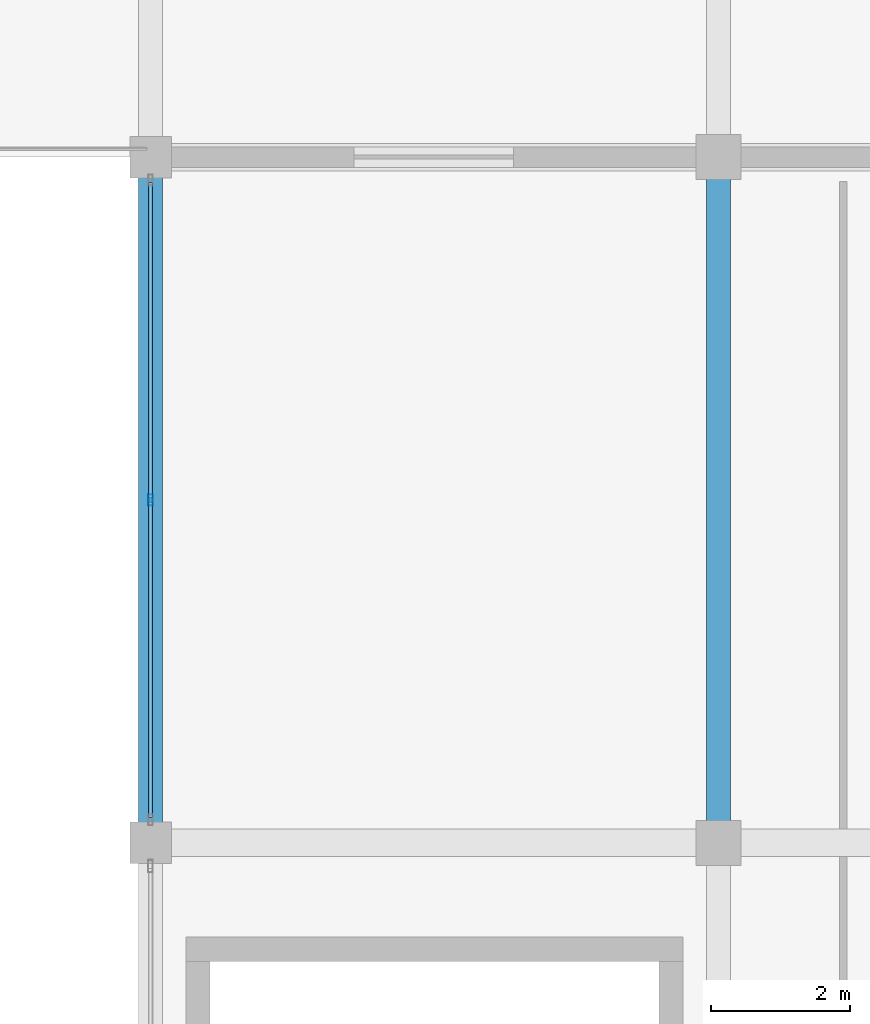
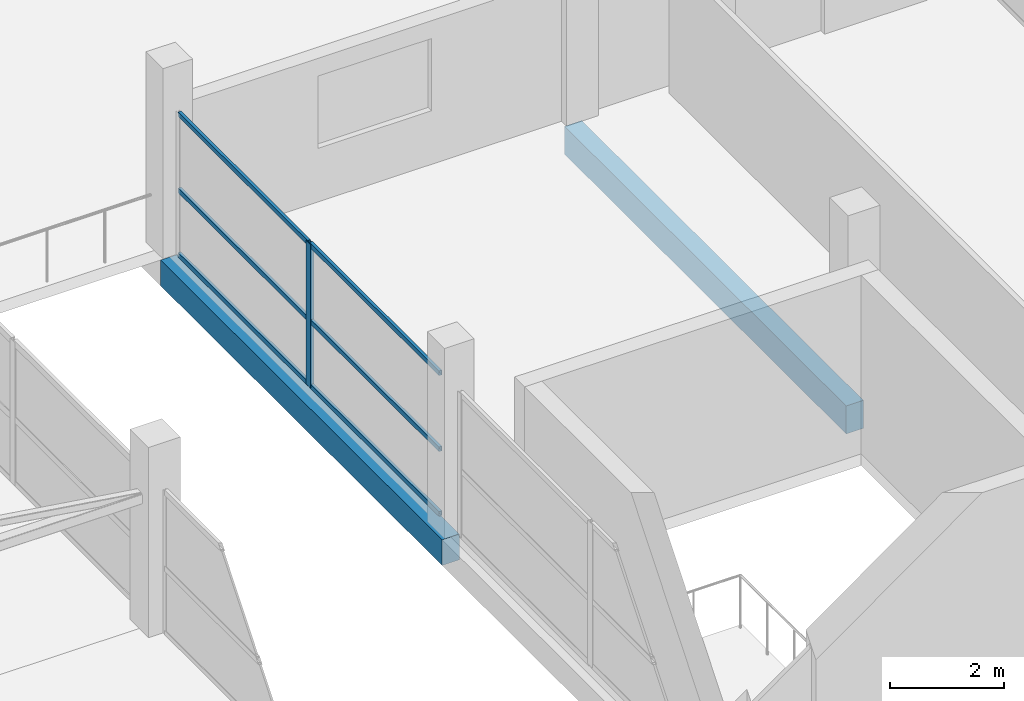
# One storey, part 31 of 53: 7 members, 2 beams, 1 element without a shape of its own.
"""IFC4 building model written with IfcOpenShell, lengths in metres."""

from ifc_helpers import new_model, si_unit, direction, frame, origin, origin_2d, place, context, subcontext, project, spatial, rectangle, hollow_rectangle, extrude, material, layer, layer_set, material_profile, profile_set, type_object, element, aggregate, save


model = new_model("IFC4")

# Units and contexts
model_context = context("Model", 3, precision=1e-05, world=origin(), true_north=direction((0.0, 1.0)))
body_context = subcontext(model_context, "Body", "Model", "MODEL_VIEW")
ifc_project = project(units=[si_unit("LENGTHUNIT", "METRE"), si_unit("AREAUNIT", "SQUARE_METRE"), si_unit("VOLUMEUNIT", "CUBIC_METRE"), si_unit("PLANEANGLEUNIT", "RADIAN"), si_unit("MASSUNIT", "GRAM", prefix="KILO")], contexts=[model_context])

# Site, building, storey
site_placement = place(None, origin())
site = spatial("IfcSite", under=ifc_project, at=site_placement, CompositionType="ELEMENT")
building_placement = place(site_placement, origin())
building = spatial("IfcBuilding", under=site, at=building_placement, Name="Sillaruma Civic Art Gallery", CompositionType="ELEMENT")
storey_placement = place(building_placement, frame((0.0, 0.0, 70.3798828125)))
storey = spatial("IfcBuildingStorey", under=building, at=storey_placement, Name="L14", CompositionType="ELEMENT", Elevation=70.3798828125)

# Beams
ifc_material_1 = material(Name="Concrete H35 (35 MPa)", Category="concrete")
ifc_material_profile_1 = material_profile(ifc_material_1, rectangle(XDim=0.35009765625, YDim=0.60009765625, at=origin_2d()), Name="RCB350x600")
ifc_profile_set_1 = profile_set([ifc_material_profile_1], Name="Concrete H35 (35 MPa)")
beam_type_1 = type_object("IfcBeamType", Name="BM-BEAM-RCB350x600", PredefinedType="BEAM", material=ifc_profile_set_1)
beam_1_placement = place(storey_placement, frame((106.199951171875, 59.39990234375, -0.5498046875), z_axis=(0.0, 1.0, 0.0), x_axis=(-1.0, 0.0, 0.0)))
element("IfcBeam", 1, at=beam_1_placement, inside=storey, type_object=beam_type_1, Name="Beam BM-06 (L13:M:7-8)", PredefinedType="BEAM", context=body_context, shape_type="SweptSolid", body=[
    extrude(rectangle(XDim=0.35009765625, YDim=0.60009765625, at=origin_2d()), origin(), (0.0, 0.0, 1.0), 9.900146484375),
])
ifc_material_profile_2 = material_profile(ifc_material_1, rectangle(XDim=0.35009765625, YDim=0.550048828125, at=origin_2d()), Name="RCB350x550")
ifc_profile_set_2 = profile_set([ifc_material_profile_2], Name="Concrete H35 (35 MPa)")
beam_type_2 = type_object("IfcBeamType", Name="BM-SPANDREL-RCB350x550", PredefinedType="SPANDREL", material=ifc_profile_set_2)
beam_2_placement = place(storey_placement, frame((98.0, 59.39990234375, -0.52490234375), z_axis=(0.0, 1.0, 0.0), x_axis=(-1.0, 0.0, 0.0)))
element("IfcBeam", 2, at=beam_2_placement, inside=storey, type_object=beam_type_2, Name="Beam BS-04 (L13:L:7-8)", PredefinedType="SPANDREL", context=body_context, shape_type="SweptSolid", body=[
    extrude(rectangle(XDim=0.35009765625, YDim=0.550048828125, at=origin_2d()), origin(), (0.0, 0.0, 1.0), 9.900146484375),
])

# Curtain wall, members
ifc_material_2 = material(Name="Thermally Broken Extruded Aluminium 6063-T6", Category="aluminium")
ifc_layer = layer(ifc_material_2, 0.159912109375, Name="Thermally Broken Extruded Aluminium 6063-T6")
ifc_layer_set = layer_set([ifc_layer], Name="Thermally Broken Extruded Aluminium 6063-T6")
curtain_wall_type = type_object("IfcCurtainWallType", Name="CW-UNI-97", PredefinedType="NOTDEFINED", material=ifc_layer_set)
curtain_wall_placement = place(storey_placement, origin())
curtain_wall = element("IfcCurtainWall", 3, at=curtain_wall_placement, inside=storey, type_object=curtain_wall_type, Name="Unitised Curtain Wall CW-97 (CW-L14-EHH-W2)", PredefinedType="NOTDEFINED")
ifc_material_profile_3 = material_profile(ifc_material_2, hollow_rectangle(XDim=0.06494140625, YDim=0.159912109375, WallThickness=0.00390625, at=origin_2d()), Name="CWM65x160")
ifc_profile_set_3 = profile_set([ifc_material_profile_3], Name="Thermally Broken Extruded Aluminium 6063-T6")
member_type_1 = type_object("IfcMemberType", Name="MEM-MUL-CWM65x160", PredefinedType="MULLION", material=ifc_profile_set_3)
member_1_placement = place(storey_placement, frame((98.0, 64.35009765625, 0.0), z_axis=(0.0, 0.0, 1.0), x_axis=(-1.0, 0.0, 0.0)))
member_1 = element("IfcMember", 4, at=member_1_placement, type_object=member_type_1, Name="CW-97 mullion 2", PredefinedType="MULLION", context=body_context, shape_type="SweptSolid", body=[
    extrude(hollow_rectangle(XDim=0.06494140625, YDim=0.159912109375, WallThickness=0.00390625, at=origin_2d()), origin(), (0.0, 0.0, 1.0), 3.080078125),
])
ifc_material_profile_4 = material_profile(ifc_material_2, hollow_rectangle(XDim=0.06005859375, YDim=0.10009765625, WallThickness=0.003173828125, at=origin_2d()), Name="CWT60x100")
ifc_profile_set_4 = profile_set([ifc_material_profile_4], Name="Thermally Broken Extruded Aluminium 6063-T6")
member_type_2 = type_object("IfcMemberType", Name="MEM-TRN-CWT60x100", PredefinedType="USERDEFINED", material=ifc_profile_set_4)
member_2_placement = place(storey_placement, frame((98.0, 59.764892578125, 0.030029296875), z_axis=(0.0, 1.0, 0.0), x_axis=(-1.0, 0.0, 0.0)))
member_2 = element("IfcMember", 5, at=member_2_placement, type_object=member_type_2, Name="CW-97 transom 1.1", ObjectType="TRANSOM", PredefinedType="USERDEFINED", context=body_context, shape_type="SweptSolid", body=[
    extrude(hollow_rectangle(XDim=0.06005859375, YDim=0.10009765625, WallThickness=0.003173828125, at=origin_2d()), origin(), (0.0, 0.0, 1.0), 4.552490234375),
])
member_3_placement = place(storey_placement, frame((98.0, 59.764892578125, 1.4169921875), z_axis=(0.0, 1.0, 0.0), x_axis=(-1.0, 0.0, 0.0)))
member_3 = element("IfcMember", 6, at=member_3_placement, type_object=member_type_2, Name="CW-97 transom 1.2", ObjectType="TRANSOM", PredefinedType="USERDEFINED", context=body_context, shape_type="SweptSolid", body=[
    extrude(hollow_rectangle(XDim=0.06005859375, YDim=0.10009765625, WallThickness=0.003173828125, at=origin_2d()), origin(), (0.0, 0.0, 1.0), 4.552490234375),
])
member_4_placement = place(storey_placement, frame((98.0, 59.764892578125, 3.050048828125), z_axis=(0.0, 1.0, 0.0), x_axis=(-1.0, 0.0, 0.0)))
member_4 = element("IfcMember", 7, at=member_4_placement, type_object=member_type_2, Name="CW-97 transom 1.3", ObjectType="TRANSOM", PredefinedType="USERDEFINED", context=body_context, shape_type="SweptSolid", body=[
    extrude(hollow_rectangle(XDim=0.06005859375, YDim=0.10009765625, WallThickness=0.003173828125, at=origin_2d()), origin(), (0.0, 0.0, 1.0), 4.552490234375),
])
member_5_placement = place(storey_placement, frame((98.0, 64.382568359375, 0.030029296875), z_axis=(0.0, 1.0, 0.0), x_axis=(-1.0, 0.0, 0.0)))
member_5 = element("IfcMember", 8, at=member_5_placement, type_object=member_type_2, Name="CW-97 transom 2.1", ObjectType="TRANSOM", PredefinedType="USERDEFINED", context=body_context, shape_type="SweptSolid", body=[
    extrude(hollow_rectangle(XDim=0.06005859375, YDim=0.10009765625, WallThickness=0.003173828125, at=origin_2d()), origin(), (0.0, 0.0, 1.0), 4.552490234375),
])
member_6_placement = place(storey_placement, frame((98.0, 64.382568359375, 1.4169921875), z_axis=(0.0, 1.0, 0.0), x_axis=(-1.0, 0.0, 0.0)))
member_6 = element("IfcMember", 9, at=member_6_placement, type_object=member_type_2, Name="CW-97 transom 2.2", ObjectType="TRANSOM", PredefinedType="USERDEFINED", context=body_context, shape_type="SweptSolid", body=[
    extrude(hollow_rectangle(XDim=0.06005859375, YDim=0.10009765625, WallThickness=0.003173828125, at=origin_2d()), origin(), (0.0, 0.0, 1.0), 4.552490234375),
])
member_7_placement = place(storey_placement, frame((98.0, 64.382568359375, 3.050048828125), z_axis=(0.0, 1.0, 0.0), x_axis=(-1.0, 0.0, 0.0)))
member_7 = element("IfcMember", 10, at=member_7_placement, type_object=member_type_2, Name="CW-97 transom 2.3", ObjectType="TRANSOM", PredefinedType="USERDEFINED", context=body_context, shape_type="SweptSolid", body=[
    extrude(hollow_rectangle(XDim=0.06005859375, YDim=0.10009765625, WallThickness=0.003173828125, at=origin_2d()), origin(), (0.0, 0.0, 1.0), 4.552490234375),
])
aggregate(curtain_wall, [member_1, member_2, member_3, member_4, member_5, member_6, member_7])

save(model, "model.ifc")
